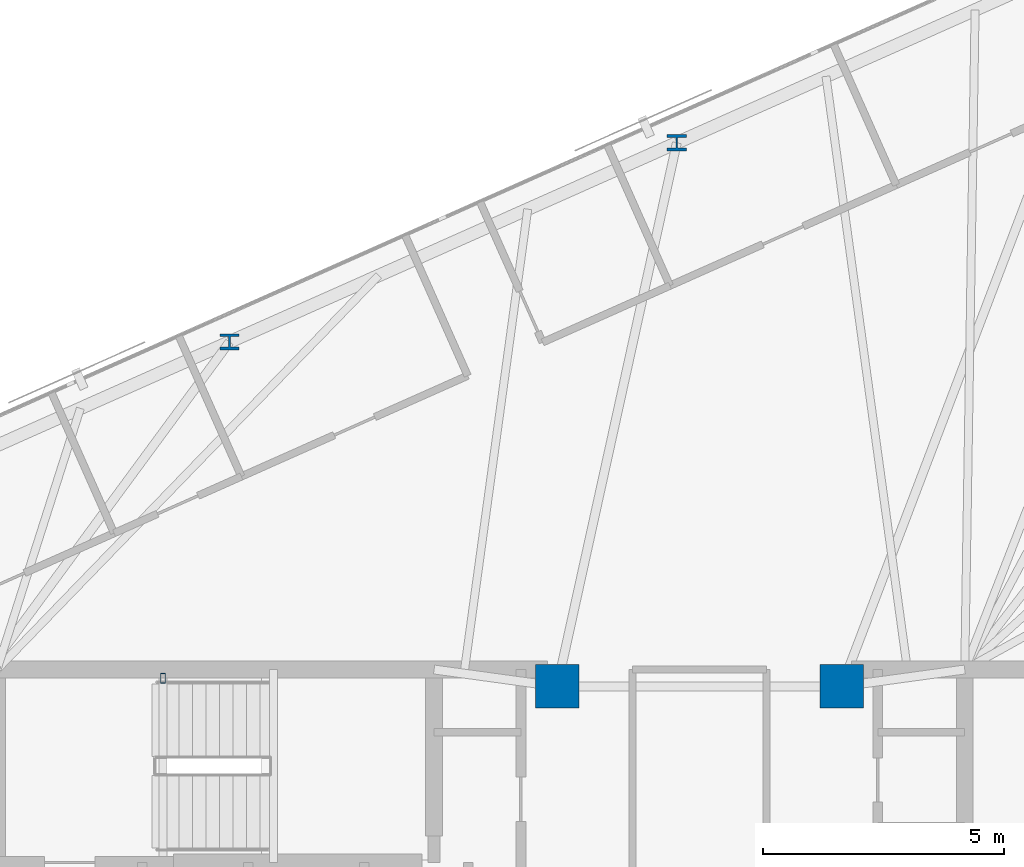
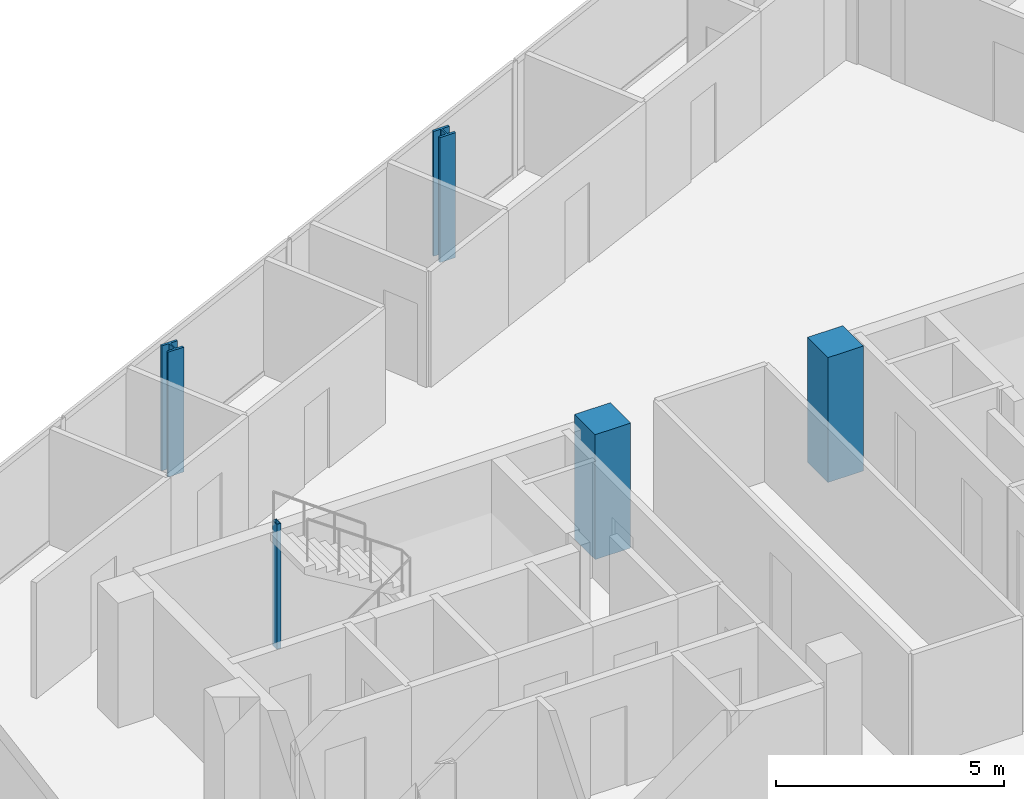
# One storey, part 2 of 18: 5 columns.
"""IFC4 building model written with IfcOpenShell, lengths in metres."""

from ifc_helpers import new_model, si_unit, direction, frame, origin, origin_2d, place, context, subcontext, project, spatial, rectangle, hollow_rectangle, i_section, extrude, material, material_profile, profile_set, type_object, element, save


model = new_model("IFC4")

# Units and contexts
model_context = context("Model", 3, precision=1e-05, world=origin(), true_north=direction((0.0, 1.0)))
body_context = subcontext(model_context, "Body", "Model", "MODEL_VIEW")
ifc_project = project(units=[si_unit("LENGTHUNIT", "METRE"), si_unit("AREAUNIT", "SQUARE_METRE"), si_unit("VOLUMEUNIT", "CUBIC_METRE"), si_unit("PLANEANGLEUNIT", "RADIAN"), si_unit("MASSUNIT", "GRAM", prefix="KILO")], contexts=[model_context])

# Site, building, storey
site_placement = place(None, origin())
site = spatial("IfcSite", under=ifc_project, at=site_placement, CompositionType="ELEMENT")
building_placement = place(site_placement, origin())
building = spatial("IfcBuilding", under=site, at=building_placement, Name="Menara Jurai Vektor", CompositionType="ELEMENT")
storey_placement = place(building_placement, frame((0.0, 0.0, 272.25)))
storey = spatial("IfcBuildingStorey", under=building, at=storey_placement, Name="L73", CompositionType="ELEMENT", Elevation=272.25)

# Columns
ifc_material_1 = material(Name="Concrete C50/60", Category="concrete")
ifc_material_profile_1 = material_profile(ifc_material_1, rectangle(XDim=0.89990234375, YDim=0.89990234375, at=origin_2d()), Name="RC 900x900")
ifc_profile_set_1 = profile_set([ifc_material_profile_1], Name="Concrete C50/60")
column_type_1 = type_object("IfcColumnType", Name="STR-COL-RC900", PredefinedType="COLUMN", material=ifc_profile_set_1)
for number, where, z_axis, x_axis, name in (
    (1, (-2.949951171875, 5.25, 0.0), (0.0, 0.0, 1.0), (1.0, 0.0, 0.0), "Core Spine Column CW-NE L73"),
    (2, (2.949951171875, 5.25, 0.0), (0.0, 0.0, 1.0), (1.0, 0.0, 0.0), "Core Spine Column CE-NW L73"),
):
    element("IfcColumn", number, at=place(storey_placement, frame(where, z_axis=z_axis, x_axis=x_axis)), inside=storey, type_object=column_type_1, Name=name, PredefinedType="COLUMN", context=body_context, shape_type="SweptSolid", body=[
        extrude(rectangle(XDim=0.89990234375, YDim=0.89990234375, at=origin_2d()), origin(), (0.0, 0.0, 1.0), 3.35009765625),
    ])
ifc_material_2 = material(Name="Steel S355", Category="steel")
ifc_material_profile_2 = material_profile(ifc_material_2, hollow_rectangle(XDim=0.10009765625, YDim=0.199951171875, WallThickness=0.008056640625, at=origin_2d()), Name="RHS 200x100x8")
ifc_profile_set_2 = profile_set([ifc_material_profile_2], Name="Steel S355")
column_type_2 = type_object("IfcColumnType", Name="STR-COL-STAIR", PredefinedType="COLUMN", material=ifc_profile_set_2)
column_placement = place(storey_placement, frame((-11.1201171875, 5.419921875, 0.0), z_axis=(0.0, 0.0, 1.0), x_axis=(1.0, 0.0, 0.0)))
element("IfcColumn", 3, at=column_placement, inside=storey, type_object=column_type_2, Name="Stair Well Header Column ST1-P2 L73", PredefinedType="COLUMN", context=body_context, shape_type="SweptSolid", body=[
    extrude(hollow_rectangle(XDim=0.10009765625, YDim=0.199951171875, WallThickness=0.008056640625, at=origin_2d()), origin(), (0.0, 0.0, 1.0), 3.35009765625),
])
ifc_material_3 = material(Name="Steel S460", Category="steel")
ifc_material_profile_3 = material_profile(ifc_material_3, i_section(OverallWidth=0.40087890625, OverallDepth=0.3349609375, WebThickness=0.035888671875, FlangeThickness=0.05810546875, FilletRadius=0.014892578125, at=origin_2d()), Name="HD 400x463")
ifc_profile_set_3 = profile_set([ifc_material_profile_3], Name="Steel S460")
column_type_3 = type_object("IfcColumnType", Name="STR-EXO-BLK5", PredefinedType="COLUMN", material=ifc_profile_set_3)
for number, where, z_axis, x_axis, name in (
    (4, (-0.467529296875, 16.519287109375, 0.0), (0.0, 0.0, 1.0), (1.0, 0.0, 0.0), "Exoskeleton Column BLK5-N3 L73"),
    (5, (-9.740966796875, 12.390380859375, 0.0), (0.0, 0.0, 1.0), (1.0, 0.0, 0.0), "Exoskeleton Column BLK5-N4 L73"),
):
    element("IfcColumn", number, at=place(storey_placement, frame(where, z_axis=z_axis, x_axis=x_axis)), inside=storey, type_object=column_type_3, Name=name, PredefinedType="COLUMN", context=body_context, shape_type="SweptSolid", body=[
        extrude(i_section(OverallWidth=0.40087890625, OverallDepth=0.3349609375, WebThickness=0.035888671875, FlangeThickness=0.05810546875, FilletRadius=0.014892578125, at=origin_2d()), origin(), (0.0, 0.0, 1.0), 3.35009765625),
    ])

save(model, "model.ifc")
